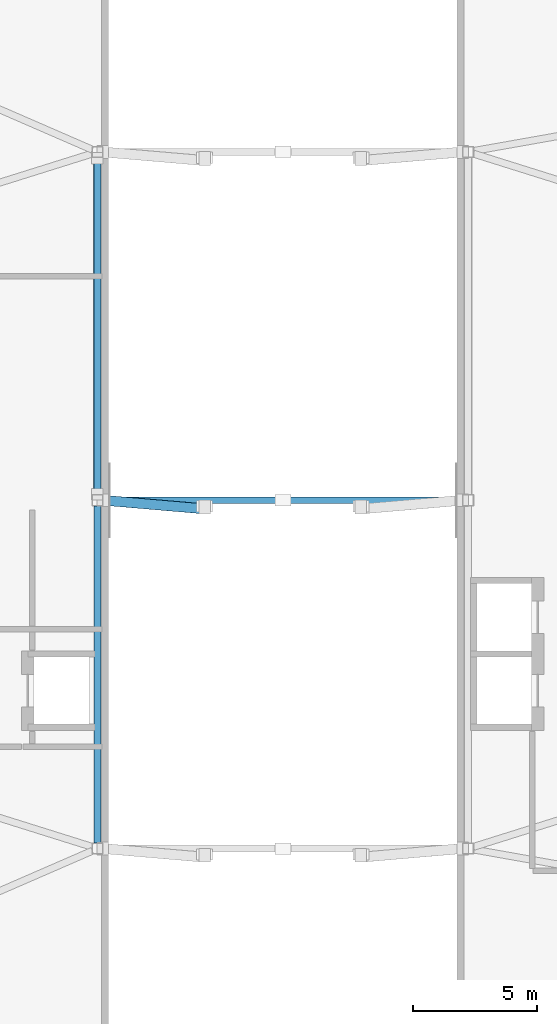
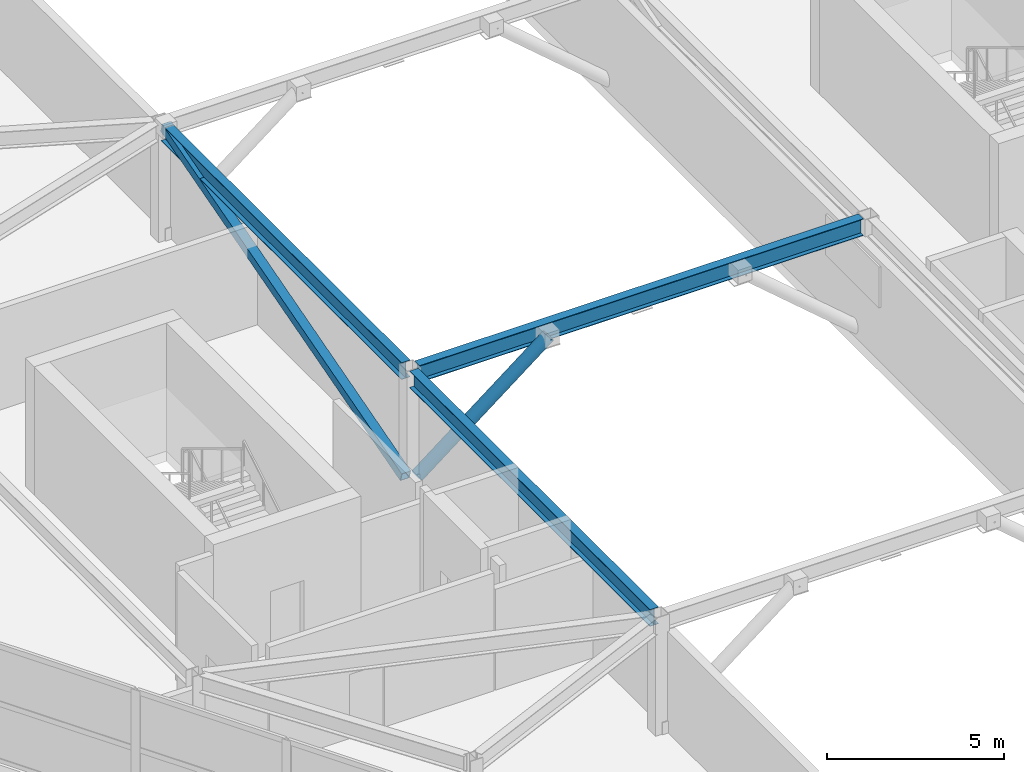
# One storey, part 6 of 16: 3 beams, 2 members.
"""IFC4 building model written with IfcOpenShell, lengths in metres."""

import ifcopenshell
import ifcopenshell.guid

model = None  # the IFC model being written
_history = None  # IfcOwnerHistory: only IFC2X3 demands one
_inside = {}  # id of a spatial element -> (the spatial element, [elements in it])
_under = {}  # id of a project, library or spatial element -> (it, [spatial elements below it])
_declared = {}  # id of a project -> (the project, [libraries it declares])
_typed = {}  # id of a type object -> (the type object, [elements of that type])
_made_of = {}  # id of a material, layer set ... -> (it, [elements and type objects made of it])


def new_model(schema):
    """Start an empty IFC model of exactly this schema.

    Asked for "IFC4X3", IfcOpenShell would pick the latest addendum, in which some entities
    have other attributes; the version numbers below select the first issue.
    IFC2X3 requires an IfcOwnerHistory on every rooted entity: one is made here for all.
    """
    global model, _history
    if schema == "IFC4X3":
        model = ifcopenshell.file(schema_version=(4, 3, 0, 0))
    else:
        model = ifcopenshell.file(schema=schema)
    _inside.clear()
    _under.clear()
    _declared.clear()
    _typed.clear()
    _made_of.clear()
    _history = None
    if model.schema == "IFC2X3":
        org = make("IfcOrganization", Name="unknown")
        user = make(
            "IfcPersonAndOrganization",
            ThePerson=make("IfcPerson", FamilyName="unknown"),
            TheOrganization=org,
        )
        app = make(
            "IfcApplication",
            ApplicationDeveloper=org,
            Version="unknown",
            ApplicationFullName="unknown",
            ApplicationIdentifier="unknown",
        )
        _history = make(
            "IfcOwnerHistory",
            OwningUser=user,
            OwningApplication=app,
            ChangeAction="ADDED",
            CreationDate=0,
        )
    return model


def make(cls, **values):
    """One entity of the class cls with the attributes given. An attribute that is None is left unset."""
    return model.create_entity(
        cls, **{name: value for name, value in values.items() if value is not None}
    )


def rooted(cls, **values):
    """An entity with a GlobalId (a new one), such as an element, a storey or a relation."""
    return make(cls, GlobalId=ifcopenshell.guid.new(), OwnerHistory=_history, **values)


def si_unit(unit_type, name, prefix=None):
    """IfcSIUnit, for example si_unit("LENGTHUNIT", "METRE", prefix="MILLI")."""
    return make("IfcSIUnit", UnitType=unit_type, Prefix=prefix, Name=name)


def assignment(units):
    """IfcUnitAssignment: the units of a project."""
    return None if units is None else make("IfcUnitAssignment", Units=units)


def point(xyz):
    """IfcCartesianPoint."""
    return None if xyz is None else make("IfcCartesianPoint", Coordinates=xyz)


def direction(xyz):
    """IfcDirection."""
    return None if xyz is None else make("IfcDirection", DirectionRatios=xyz)


def frame(location, z_axis=None, x_axis=None):
    """IfcAxis2Placement3D, a coordinate frame: its origin and axes. An axis left out is left unset."""
    return make(
        "IfcAxis2Placement3D",
        Location=point(location),
        Axis=direction(z_axis),
        RefDirection=direction(x_axis),
    )


def frame_2d(location, x_axis=None):
    """IfcAxis2Placement2D, a coordinate frame in the plane: its origin and x axis."""
    return make(
        "IfcAxis2Placement2D", Location=point(location), RefDirection=direction(x_axis)
    )


def origin():
    """The frame at (0, 0, 0) with its axes left unset."""
    return frame((0.0, 0.0, 0.0))


def origin_2d():
    """The frame at (0, 0) in the plane with its x axis left unset."""
    return frame_2d((0.0, 0.0))


def place(relative_to, where):
    """IfcLocalPlacement: puts the frame where relative to a parent placement (None: the world)."""
    return make(
        "IfcLocalPlacement", PlacementRelTo=relative_to, RelativePlacement=where
    )


def context(
    kind, dimensions, precision=None, world=None, true_north=None, identifier=None
):
    """IfcGeometricRepresentationContext, for example the 3D "Model" context."""
    return make(
        "IfcGeometricRepresentationContext",
        ContextIdentifier=identifier,
        ContextType=kind,
        CoordinateSpaceDimension=dimensions,
        Precision=precision,
        WorldCoordinateSystem=world,
        TrueNorth=true_north,
    )


def subcontext(parent, identifier, kind, view, scale=None):
    """IfcGeometricRepresentationSubContext, for example "Body" below "Model"."""
    return make(
        "IfcGeometricRepresentationSubContext",
        ContextIdentifier=identifier,
        ContextType=kind,
        ParentContext=parent,
        TargetScale=scale,
        TargetView=view,
    )


def project(units=None, contexts=None):
    """IfcProject with its units and contexts."""
    return rooted(
        "IfcProject",
        Name="project",
        RepresentationContexts=contexts,
        UnitsInContext=assignment(units),
    )


def spatial(cls, under=None, at=None, **own):
    """A site, building, storey or space (cls), placed at a placement, below another one or the project."""
    s = rooted(cls, ObjectPlacement=at, **own)
    if under is not None:
        _under.setdefault(under.id(), (under, []))[1].append(s)
    return s


def profile(cls, at=None, kind="AREA", **sizes):
    """A parametric profile (cls). Its sizes go by their IFC names, for example OverallWidth=200.0."""
    return make(cls, ProfileType=kind, Position=at, **sizes)


def hollow_rectangle(**sizes):
    """IfcRectangleHollowProfileDef."""
    return profile("IfcRectangleHollowProfileDef", **sizes)


def hollow_circle(**sizes):
    """IfcCircleHollowProfileDef."""
    return profile("IfcCircleHollowProfileDef", **sizes)


def i_section(**sizes):
    """IfcIShapeProfileDef."""
    return profile("IfcIShapeProfileDef", **sizes)


def extrude(swept, where, along, depth):
    """IfcExtrudedAreaSolid: the profile swept, set in the frame where, extruded along a direction by depth."""
    return make(
        "IfcExtrudedAreaSolid",
        SweptArea=swept,
        Position=where,
        ExtrudedDirection=direction(along),
        Depth=depth,
    )


def shape(context_of_items, identifier, shape_type, items):
    """IfcShapeRepresentation: the items that make up one representation, for example the "Body"."""
    return make(
        "IfcShapeRepresentation",
        ContextOfItems=context_of_items,
        RepresentationIdentifier=identifier,
        RepresentationType=shape_type,
        Items=items,
    )


def material(Name=None, Category=None):
    """IfcMaterial."""
    return make("IfcMaterial", Name=Name, Category=Category)


def material_profile(
    of_material, cross_section, Name=None, Category=None, Priority=None
):
    """IfcMaterialProfile: a cross section and its material."""
    return make(
        "IfcMaterialProfile",
        Name=Name,
        Material=of_material,
        Profile=cross_section,
        Priority=Priority,
        Category=Category,
    )


def profile_set(profiles, Name=None, composite=None):
    """IfcMaterialProfileSet."""
    return make(
        "IfcMaterialProfileSet",
        Name=Name,
        MaterialProfiles=profiles,
        CompositeProfile=composite,
    )


def made_of(thing, what):
    """Note that an element or type object is made of a material, layer set ...; save() writes the relation."""
    if what is not None:
        _made_of.setdefault(what.id(), (what, []))[1].append(thing)
    return thing


def type_object(cls, material=None, **own):
    """A type object (cls), such as IfcWallType, which elements share."""
    return made_of(rooted(cls, **own), material)


def element(
    cls,
    number,
    at=None,
    inside=None,
    cuts=None,
    type_object=None,
    material=None,
    context=None,
    identifier="Body",
    shape_type=None,
    held_by="IfcProductDefinitionShape",
    body=None,
    shapes=None,
    **own,
):
    """One element of the class cls, such as IfcWall. Its Tag is "e" and its number.

    at: its placement. inside: the storey or other place that contains it. cuts: it is an
    opening in that element (IfcRelVoidsElement). A single representation is given by context,
    identifier, shape_type and body (its items); several are given by shapes. held_by: the class
    of the entity that holds the representations. save() writes the other relations.
    """
    e = rooted(cls, Tag="e%d" % number, ObjectPlacement=at, **own)
    if body is not None:
        shapes = [shape(context, identifier, shape_type, body)]
    if shapes is not None:
        e.Representation = make(held_by, Representations=shapes)
    if inside is not None:
        _inside.setdefault(inside.id(), (inside, []))[1].append(e)
    if cuts is not None:
        rooted(
            "IfcRelVoidsElement", RelatingBuildingElement=cuts, RelatedOpeningElement=e
        )
    if type_object is not None:
        _typed.setdefault(type_object.id(), (type_object, []))[1].append(e)
    return made_of(e, material)


def aggregate(whole, parts):
    """IfcRelAggregates: a whole, such as a stair, and the parts it consists of."""
    return rooted("IfcRelAggregates", RelatingObject=whole, RelatedObjects=parts)


def save(model, path):
    """Write the relations noted so far, then the file.

    IfcRelAggregates (storeys below a building ...), IfcRelContainedInSpatialStructure (elements
    in a storey), IfcRelDefinesByType, IfcRelAssociatesMaterial and IfcRelDeclares: one each for
    every whole, place, type object, material and project.
    """
    for whole, parts in _under.values():
        aggregate(whole, parts)
    for where, things in _inside.values():
        rooted(
            "IfcRelContainedInSpatialStructure",
            RelatedElements=things,
            RelatingStructure=where,
        )
    for kind, things in _typed.values():
        rooted("IfcRelDefinesByType", RelatedObjects=things, RelatingType=kind)
    for what, things in _made_of.values():
        rooted("IfcRelAssociatesMaterial", RelatedObjects=things, RelatingMaterial=what)
    for by, libraries in _declared.values():
        rooted("IfcRelDeclares", RelatingContext=by, RelatedDefinitions=libraries)
    model.write(path)


model = new_model("IFC4")

# Units and contexts
model_context = context("Model", 3, precision=1e-05, world=origin(), true_north=direction((0.0, 1.0)))
body_context = subcontext(model_context, "Body", "Model", "MODEL_VIEW")
ifc_project = project(units=[si_unit("LENGTHUNIT", "METRE"), si_unit("AREAUNIT", "SQUARE_METRE"), si_unit("VOLUMEUNIT", "CUBIC_METRE"), si_unit("PLANEANGLEUNIT", "RADIAN"), si_unit("MASSUNIT", "GRAM", prefix="KILO")], contexts=[model_context])

# Site, building, storey
site_placement = place(None, origin())
site = spatial("IfcSite", under=ifc_project, at=site_placement, CompositionType="ELEMENT")
building_placement = place(site_placement, origin())
building = spatial("IfcBuilding", under=site, at=building_placement, Name="Zuhravey Tower", CompositionType="ELEMENT")
storey_placement = place(building_placement, frame((0.0, 0.0, 370.199951171875)))
storey = spatial("IfcBuildingStorey", under=building, at=storey_placement, Name="L94", CompositionType="ELEMENT", Elevation=370.199951171875)

# Member
ifc_material = material(Name="Steel SM355", Category="steel")
ifc_material_profile_1 = material_profile(ifc_material, hollow_rectangle(XDim=0.300048828125, YDim=0.300048828125, WallThickness=0.01611328125, at=origin_2d()), Name="RHS-300x300x16")
ifc_profile_set_1 = profile_set([ifc_material_profile_1], Name="Steel SM355")
member_type_1 = type_object("IfcMemberType", Name="Crown Frame Strut RHS300x300", PredefinedType="STRUT", material=ifc_profile_set_1)
member_1_placement = place(storey_placement, frame((28.550048828125, 32.249267578125, 0.10546875), z_axis=(0.0, 0.961870384353, 0.273505692271), x_axis=(-1.0, 0.0, 0.0)))
element("IfcMember", 1, at=member_1_placement, inside=storey, type_object=member_type_1, Name="L94 West Crest Portal Frame Strut CFS1", PredefinedType="STRUT", context=body_context, shape_type="SweptSolid", body=[
    extrude(hollow_rectangle(XDim=0.300048828125, YDim=0.300048828125, WallThickness=0.01611328125, at=origin_2d()), origin(), (0.0, 0.0, 1.0), 14.03662109375),
])

# Beams
ifc_material_profile_2 = material_profile(ifc_material, i_section(OverallWidth=0.280029296875, OverallDepth=0.580078125, WebThickness=0.011962890625, FlangeThickness=0.01904296875, at=origin_2d()), Name="H-580x280x12x19")
ifc_profile_set_2 = profile_set([ifc_material_profile_2], Name="Steel SM355")
beam_type = type_object("IfcBeamType", Name="Perimeter Ring Beam H580x280", PredefinedType="BEAM", material=ifc_profile_set_2)
for number, where, z_axis, x_axis, name in (
    (2, (28.550048828125, 18.22900390625, 3.760009765625), (0.0, 1.0, 0.0), (-1.0, 0.0, 0.0), "L94 PB4 BM-L94-WCR-4-5"),
    (3, (28.550048828125, 32.22900390625, 3.760009765625), (0.0, 1.0, 0.0), (-1.0, 0.0, 0.0), "L94 PB4 BM-L94-WCR-5-6"),
):
    element("IfcBeam", number, at=place(storey_placement, frame(where, z_axis=z_axis, x_axis=x_axis)), inside=storey, type_object=beam_type, Name=name, PredefinedType="BEAM", context=body_context, shape_type="SweptSolid", body=[
        extrude(i_section(OverallWidth=0.280029296875, OverallDepth=0.580078125, WebThickness=0.011962890625, FlangeThickness=0.01904296875, at=origin_2d()), origin(), (0.0, 0.0, 1.0), 13.5419921875),
    ])
beam_placement = place(storey_placement, frame((28.780029296875, 32.0, 3.755126953125), z_axis=(1.0, 0.0, 0.0), x_axis=(0.0, 1.0, 0.0)))
element("IfcBeam", 4, at=beam_placement, inside=storey, type_object=beam_type, Name="L94 Wind-Portal Tie Girder PB4-2", PredefinedType="BEAM", context=body_context, shape_type="SweptSolid", body=[
    extrude(i_section(OverallWidth=0.280029296875, OverallDepth=0.580078125, WebThickness=0.011962890625, FlangeThickness=0.01904296875, at=origin_2d()), origin(), (0.0, 0.0, 1.0), 14.43994140625),
])

# Member
ifc_material_profile_3 = material_profile(ifc_material, hollow_circle(Radius=0.203125, WallThickness=0.02001953125, at=origin_2d()), Name="CHS-406.4x20")
ifc_profile_set_3 = profile_set([ifc_material_profile_3], Name="Steel SM355")
member_type_2 = type_object("IfcMemberType", Name="Wind-Portal Arch Brace CHS406x20", PredefinedType="BRACE", material=ifc_profile_set_3)
member_2_placement = place(storey_placement, frame((28.780517578125, 31.999755859375, 0.181396484375), z_axis=(0.747122272379, -0.063852005514, 0.661612599265), x_axis=(0.085153511528, 0.996367843457, 0.0)))
element("IfcMember", 5, at=member_2_placement, inside=storey, type_object=member_type_2, Name="L94 Wind-Portal Arch Brace WPB1-2W", PredefinedType="BRACE", context=body_context, shape_type="SweptSolid", body=[
    extrude(hollow_circle(Radius=0.203125, WallThickness=0.02001953125, at=origin_2d()), origin(), (0.0, 0.0, 1.0), 5.44482421875),
])

save(model, "model.ifc")
